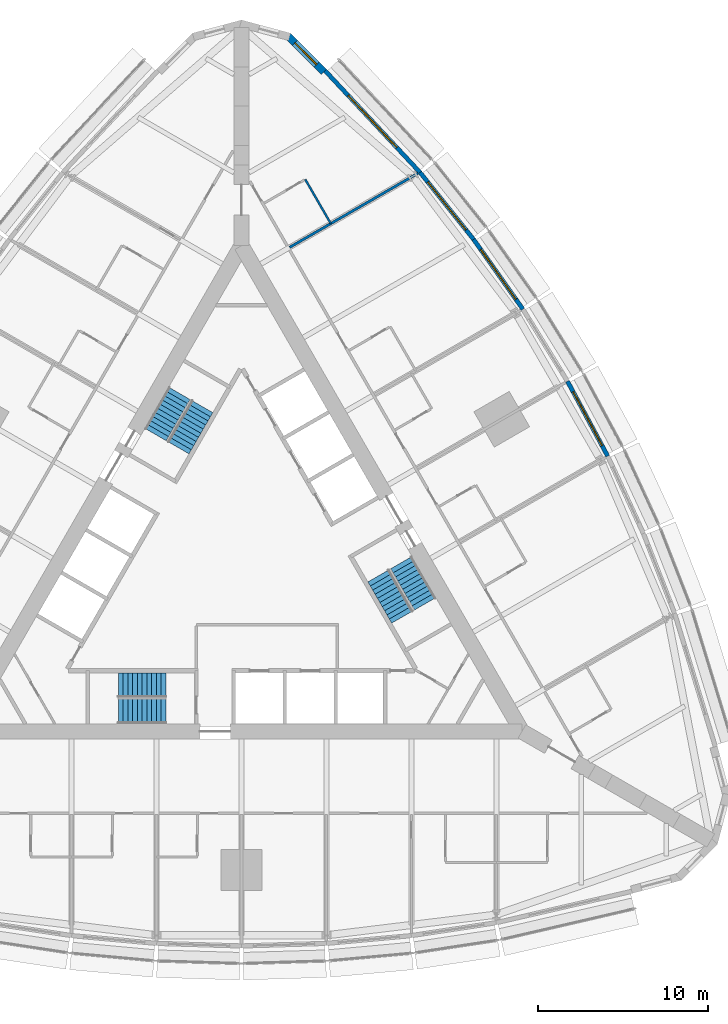
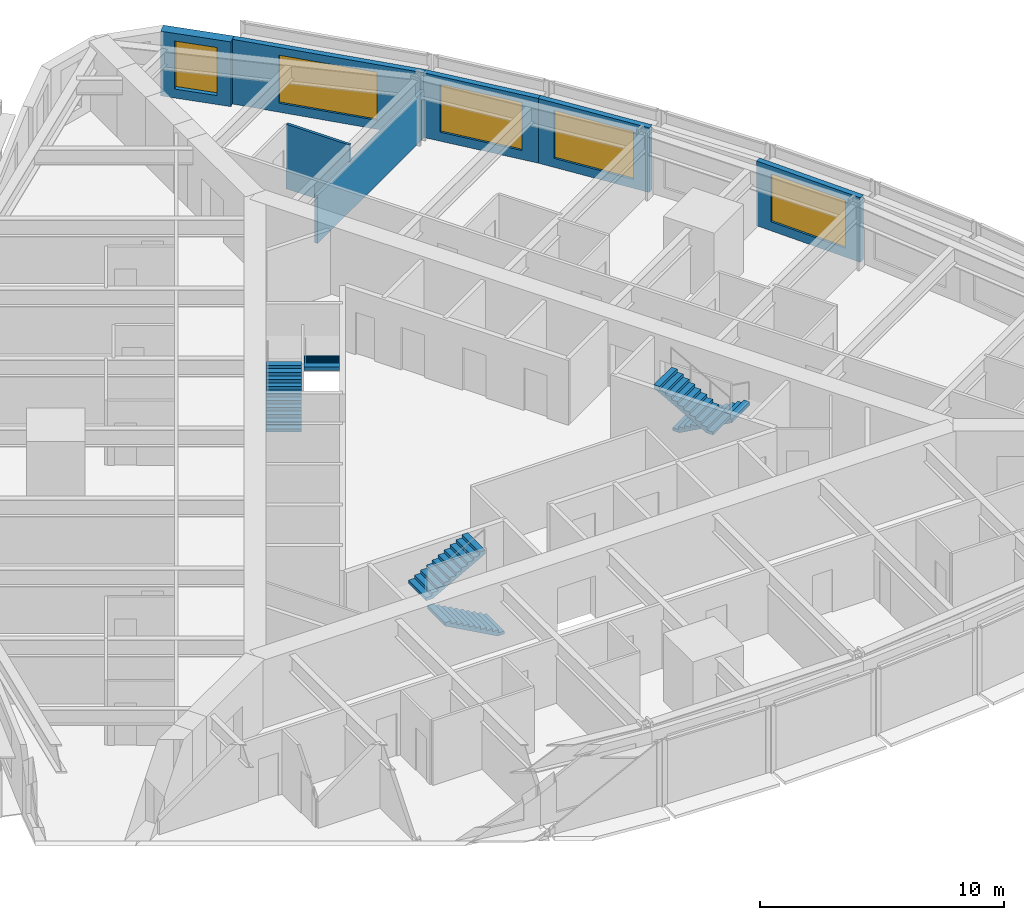
# One storey, part 13 of 14: 7 walls, 6 stair flights, 5 windows, 5 openings, 3 elements without a shape of their own.
"""IFC4 building model written with IfcOpenShell, lengths in metres."""

from ifc_helpers import new_model, si_unit, direction, frame, frame_2d, origin, place, context, subcontext, project, spatial, polyline, rectangle, outline, extrude, material, layer, layer_set, type_object, element, fill, aggregate, save


model = new_model("IFC4")

# Units and contexts
model_context = context("Model", 3, precision=1e-05, world=origin(), true_north=direction((0.0, 1.0)))
body_context = subcontext(model_context, "Body", "Model", "MODEL_VIEW")
ifc_project = project(units=[si_unit("LENGTHUNIT", "METRE"), si_unit("AREAUNIT", "SQUARE_METRE"), si_unit("VOLUMEUNIT", "CUBIC_METRE"), si_unit("PLANEANGLEUNIT", "RADIAN"), si_unit("MASSUNIT", "GRAM", prefix="KILO")], contexts=[model_context])

# Site, building, storey
site_placement = place(None, origin())
site = spatial("IfcSite", under=ifc_project, at=site_placement, CompositionType="ELEMENT")
building_placement = place(site_placement, origin())
building = spatial("IfcBuilding", under=site, at=building_placement, Name="Trikona Tower", CompositionType="ELEMENT")
storey_placement = place(building_placement, frame((0.0, 0.0, 65.89990234375)))
storey = spatial("IfcBuildingStorey", under=building, at=storey_placement, Name="L16", CompositionType="ELEMENT", Elevation=65.89990234375)

# Wall
ifc_material_1 = material(Name="Metal stud and cement board", Category="gypsum")
ifc_layer_1 = layer(ifc_material_1, 0.1201171875)
ifc_layer_set_1 = layer_set([ifc_layer_1], Name="Bathroom wall 120")
wall_type_1 = type_object("IfcWallType", Name="Bathroom wall 120", PredefinedType="PLUMBINGWALL", material=ifc_layer_set_1)
wall_1_placement = place(storey_placement, frame((5.25341796875, 20.353515625, 0.0), z_axis=(0.0, 0.0, 1.0), x_axis=(-0.499990139034, 0.866031096941, 0.0)))
element("IfcWall", 1, at=wall_1_placement, inside=storey, type_object=wall_type_1, Name="Bathroom wall 1612", PredefinedType="PLUMBINGWALL", context=body_context, shape_type="SweptSolid", body=[
    extrude(rectangle(XDim=3.0, YDim=0.1201171875, at=frame_2d((1.5, 0.0))), origin(), (0.0, 0.0, 1.0), 3.235107421875),
])

# Wall, opening, window
ifc_material_2 = material(Name="Brick-faced precast concrete", Category="masonry")
ifc_layer_2 = layer(ifc_material_2, 0.449951171875)
ifc_layer_set_2 = layer_set([ifc_layer_2], Name="Brick-faced corner wall 450")
wall_type_2 = type_object("IfcWallType", Name="Brick-faced corner wall 450", PredefinedType="SOLIDWALL", material=ifc_layer_set_2)
wall_2_placement = place(storey_placement, frame((4.8408203125, 29.285888671875, 0.0), z_axis=(0.0, 0.0, 1.0), x_axis=(-0.707106781187, 0.707106781187, 0.0)))
wall_2 = element("IfcWall", 2, at=wall_2_placement, inside=storey, type_object=wall_type_2, Name="External wall L16-20", PredefinedType="SOLIDWALL", context=body_context, shape_type="SweptSolid", body=[
    extrude(rectangle(XDim=2.98828125, YDim=0.449951171875, at=frame_2d((1.494140625, 0.0))), origin(), (0.0, 0.0, 1.0), 3.235107421875),
])
opening_1_placement = place(wall_2_placement, frame((0.59423828125, 0.0, 0.449951171875)))
opening_1 = element("IfcOpeningElement", 3, at=opening_1_placement, cuts=wall_2, Name="Opening W1824", PredefinedType="OPENING", context=body_context, shape_type="SweptSolid", body=[
    extrude(rectangle(XDim=1.800048828125, YDim=2.39990234375, at=frame_2d((0.89990234375, 1.199951171875))), frame((0.0, 0.23486328125, 0.0), z_axis=(0.0, -1.0, 0.0), x_axis=(1.0, 0.0, 0.0)), (0.0, 0.0, 1.0), 0.469970703125),
])
ifc_material_3 = material(Name="Aluminium-framed double glazing", Category="aluminium")
window_type_1 = type_object("IfcWindowType", Name="Window 1800x2400", PartitioningType="SINGLE_PANEL", PredefinedType="WINDOW", material=ifc_material_3)
window_1_placement = place(opening_1_placement, origin())
window_1 = element("IfcWindow", 4, at=window_1_placement, inside=storey, type_object=window_type_1, Name="Window 1612", OverallHeight=2.39990234375, OverallWidth=1.800048828125, PartitioningType="SINGLE_PANEL", PredefinedType="WINDOW", context=body_context, shape_type="SweptSolid", body=[
    extrude(rectangle(XDim=1.800048828125, YDim=2.39990234375, at=frame_2d((0.89990234375, 1.199951171875))), frame((0.0, 0.030029296875, 0.0), z_axis=(0.0, -1.0, 0.0), x_axis=(1.0, 0.0, 0.0)), (0.0, 0.0, 1.0), 0.06005859375),
])
fill(opening_1, window_1)

ifc_material_4 = material(Name="Insulated precast concrete spandrel panel", Category="concrete")
ifc_layer_3 = layer(ifc_material_4, 0.25)
ifc_layer_set_3 = layer_set([ifc_layer_3], Name="Inner skin wall 250")
wall_type_3 = type_object("IfcWallType", Name="Inner skin wall 250", PredefinedType="STANDARD", material=ifc_layer_set_3)
wall_3_placement = place(storey_placement, frame((21.546630859375, 6.6708984375, 0.0), z_axis=(0.0, 0.0, 1.0), x_axis=(-0.473412820489, 0.880840678782, 0.0)))
wall_3 = element("IfcWall", 5, at=wall_3_placement, inside=storey, type_object=wall_type_3, Name="External wall L16-15", PredefinedType="STANDARD", context=body_context, shape_type="SweptSolid", body=[
    extrude(rectangle(XDim=5.00244140625, YDim=0.25, at=frame_2d((2.501220703125, 0.0))), origin(), (0.0, 0.0, 1.0), 3.235107421875),
])
opening_2_placement = place(wall_3_placement, frame((0.701171875, 0.0, 0.449951171875)))
opening_2 = element("IfcOpeningElement", 6, at=opening_2_placement, cuts=wall_3, Name="Opening W3624", PredefinedType="OPENING", context=body_context, shape_type="SweptSolid", body=[
    extrude(rectangle(XDim=3.60009765625, YDim=2.39990234375, at=frame_2d((1.800048828125, 1.199951171875))), frame((0.0, 0.135009765625, 0.0), z_axis=(0.0, -1.0, 0.0), x_axis=(1.0, 0.0, 0.0)), (0.0, 0.0, 1.0), 0.27001953125),
])
ifc_material_5 = material(Name="Aluminium-framed double glazing", Category="aluminium")
window_type_2 = type_object("IfcWindowType", Name="Window 3600x2400", PartitioningType="SINGLE_PANEL", PredefinedType="WINDOW", material=ifc_material_5)
window_2_placement = place(opening_2_placement, origin())
window_2 = element("IfcWindow", 7, at=window_2_placement, inside=storey, type_object=window_type_2, Name="Window 1609", OverallHeight=2.39990234375, OverallWidth=3.60009765625, PartitioningType="SINGLE_PANEL", PredefinedType="WINDOW", context=body_context, shape_type="SweptSolid", body=[
    extrude(rectangle(XDim=3.60009765625, YDim=2.39990234375, at=frame_2d((1.800048828125, 1.199951171875))), frame((0.0, 0.030029296875, 0.0), z_axis=(0.0, -1.0, 0.0), x_axis=(1.0, 0.0, 0.0)), (0.0, 0.0, 1.0), 0.06005859375),
])
fill(opening_2, window_2)

wall_4_placement = place(storey_placement, frame((16.5546875, 15.318115234375, 0.0), z_axis=(0.0, 0.0, 1.0), x_axis=(-0.5766431066, 0.81699616132, 0.0)))
wall_4 = element("IfcWall", 8, at=wall_4_placement, inside=storey, type_object=wall_type_3, Name="External wall L16-17", PredefinedType="STANDARD", context=body_context, shape_type="SweptSolid", body=[
    extrude(rectangle(XDim=5.02099609375, YDim=0.25, at=frame_2d((2.510498046875, 0.0))), origin(), (0.0, 0.0, 1.0), 3.235107421875),
])
opening_3_placement = place(wall_4_placement, frame((0.71044921875, 0.0, 0.449951171875)))
opening_3 = element("IfcOpeningElement", 9, at=opening_3_placement, cuts=wall_4, Name="Opening W3624", PredefinedType="OPENING", context=body_context, shape_type="SweptSolid", body=[
    extrude(rectangle(XDim=3.60009765625, YDim=2.39990234375, at=frame_2d((1.800048828125, 1.199951171875))), frame((0.0, 0.135009765625, 0.0), z_axis=(0.0, -1.0, 0.0), x_axis=(1.0, 0.0, 0.0)), (0.0, 0.0, 1.0), 0.27001953125),
])
window_3_placement = place(opening_3_placement, origin())
window_3 = element("IfcWindow", 10, at=window_3_placement, inside=storey, type_object=window_type_2, Name="Window 1611", OverallHeight=2.39990234375, OverallWidth=3.60009765625, PartitioningType="SINGLE_PANEL", PredefinedType="WINDOW", context=body_context, shape_type="SweptSolid", body=[
    extrude(rectangle(XDim=3.60009765625, YDim=2.39990234375, at=frame_2d((1.800048828125, 1.199951171875))), frame((0.0, 0.030029296875, 0.0), z_axis=(0.0, -1.0, 0.0), x_axis=(1.0, 0.0, 0.0)), (0.0, 0.0, 1.0), 0.06005859375),
])
fill(opening_3, window_3)

wall_5_placement = place(storey_placement, frame((13.663818359375, 19.4140625, 0.0), z_axis=(0.0, 0.0, 1.0), x_axis=(-0.624594965756, 0.780948864364, 0.0)))
wall_5 = element("IfcWall", 11, at=wall_5_placement, inside=storey, type_object=wall_type_3, Name="External wall L16-18", PredefinedType="STANDARD", context=body_context, shape_type="SweptSolid", body=[
    extrude(rectangle(XDim=5.0576171875, YDim=0.25, at=frame_2d((2.52880859375, 0.0))), origin(), (0.0, 0.0, 1.0), 3.235107421875),
])
opening_4_placement = place(wall_5_placement, frame((0.728759765625, 0.0, 0.449951171875)))
opening_4 = element("IfcOpeningElement", 12, at=opening_4_placement, cuts=wall_5, Name="Opening W3624", PredefinedType="OPENING", context=body_context, shape_type="SweptSolid", body=[
    extrude(rectangle(XDim=3.60009765625, YDim=2.39990234375, at=frame_2d((1.800048828125, 1.199951171875))), frame((0.0, 0.135009765625, 0.0), z_axis=(0.0, -1.0, 0.0), x_axis=(1.0, 0.0, 0.0)), (0.0, 0.0, 1.0), 0.27001953125),
])
window_4_placement = place(opening_4_placement, origin())
window_4 = element("IfcWindow", 13, at=window_4_placement, inside=storey, type_object=window_type_2, Name="Window 1611", OverallHeight=2.39990234375, OverallWidth=3.60009765625, PartitioningType="SINGLE_PANEL", PredefinedType="WINDOW", context=body_context, shape_type="SweptSolid", body=[
    extrude(rectangle(XDim=3.60009765625, YDim=2.39990234375, at=frame_2d((1.800048828125, 1.199951171875))), frame((0.0, 0.030029296875, 0.0), z_axis=(0.0, -1.0, 0.0), x_axis=(1.0, 0.0, 0.0)), (0.0, 0.0, 1.0), 0.06005859375),
])
fill(opening_4, window_4)

wall_6_placement = place(storey_placement, frame((10.510986328125, 23.356689453125, 0.0), z_axis=(0.0, 0.0, 1.0), x_axis=(-0.682289646561, 0.731081964075, 0.0)))
wall_6 = element("IfcWall", 14, at=wall_6_placement, inside=storey, type_object=wall_type_3, Name="External wall L16-19", PredefinedType="STANDARD", context=body_context, shape_type="SweptSolid", body=[
    extrude(rectangle(XDim=8.2109375, YDim=0.25, at=frame_2d((4.10546875, 0.0))), origin(), (0.0, 0.0, 1.0), 3.235107421875),
])
opening_5_placement = place(wall_6_placement, frame((2.005615234375, 0.0, 0.449951171875)))
opening_5 = element("IfcOpeningElement", 15, at=opening_5_placement, cuts=wall_6, Name="Opening W4224", PredefinedType="OPENING", context=body_context, shape_type="SweptSolid", body=[
    extrude(rectangle(XDim=4.199951171875, YDim=2.39990234375, at=frame_2d((2.10009765625, 1.199951171875))), frame((0.0, 0.135009765625, 0.0), z_axis=(0.0, -1.0, 0.0), x_axis=(1.0, 0.0, 0.0)), (0.0, 0.0, 1.0), 0.27001953125),
])
ifc_material_6 = material(Name="Aluminium-framed double glazing", Category="aluminium")
window_type_3 = type_object("IfcWindowType", Name="Window 4200x2400", PartitioningType="SINGLE_PANEL", PredefinedType="WINDOW", material=ifc_material_6)
window_5_placement = place(opening_5_placement, origin())
window_5 = element("IfcWindow", 16, at=window_5_placement, inside=storey, type_object=window_type_3, Name="Window 1612", OverallHeight=2.39990234375, OverallWidth=4.199951171875, PartitioningType="SINGLE_PANEL", PredefinedType="WINDOW", context=body_context, shape_type="SweptSolid", body=[
    extrude(rectangle(XDim=4.199951171875, YDim=2.39990234375, at=frame_2d((2.10009765625, 1.199951171875))), frame((0.0, 0.030029296875, 0.0), z_axis=(0.0, -1.0, 0.0), x_axis=(1.0, 0.0, 0.0)), (0.0, 0.0, 1.0), 0.06005859375),
])
fill(opening_5, window_5)

# Wall
ifc_material_7 = material(Name="Metal stud and gypsum board, 1-hour acoustic", Category="gypsum")
ifc_layer_4 = layer(ifc_material_7, 0.14990234375)
ifc_layer_set_4 = layer_set([ifc_layer_4], Name="Party wall 150")
wall_type_4 = type_object("IfcWallType", Name="Party wall 150", PredefinedType="PARTITIONING", material=ifc_layer_set_4)
wall_7_placement = place(storey_placement, frame((2.82861328125, 18.95361328125, 0.0), z_axis=(0.0, 0.0, 1.0), x_axis=(0.866020536561, 0.500008430184, 0.0)))
element("IfcWall", 17, at=wall_7_placement, inside=storey, type_object=wall_type_4, Name="Partition L16 F2 u15", PredefinedType="PARTITIONING", context=body_context, shape_type="SweptSolid", body=[
    extrude(rectangle(XDim=8.719970703125, YDim=0.14990234375, at=frame_2d((4.35986328125, 0.0))), origin(), (0.0, 0.0, 1.0), 2.389404296875),
])

# Stair, stair flights
ifc_material_8 = material(Name="Concrete f'c 5000 psi", Category="concrete")
stair_type = type_object("IfcStairType", Name="Core stair", PredefinedType="HALF_TURN_STAIR", material=ifc_material_8)
stair_1_placement = place(storey_placement, origin())
stair_1 = element("IfcStair", 18, at=stair_1_placement, inside=storey, type_object=stair_type, Name="Stair A L16", PredefinedType="HALF_TURN_STAIR")
ifc_material_9 = material(Name="Concrete f'c 5000 psi", Category="concrete")
stair_flight_type = type_object("IfcStairFlightType", Name="Core stair flight 1450", PredefinedType="STRAIGHT", material=ifc_material_9)
stair_flight_1_placement = place(storey_placement, frame((-4.449951171875, -8.351318359375, 0.0), z_axis=(0.0, 0.0, 1.0), x_axis=(-1.0, 0.0, 0.0)))
stair_flight_1 = element("IfcStairFlight", 19, at=stair_flight_1_placement, type_object=stair_flight_type, Name="ST-A flight 1", NumberOfRisers=11, NumberOfTreads=10, PredefinedType="STRAIGHT", RiserHeight=0.154545, TreadLength=0.28, context=body_context, shape_type="SweptSolid", body=[
    extrude(outline(polyline([(0.0, 0.0), (0.0, 0.154541015625), (0.280029296875, 0.154541015625), (0.280029296875, 0.30908203125), (0.56005859375, 0.30908203125), (0.56005859375, 0.463623046875), (0.840087890625, 0.463623046875), (0.840087890625, 0.6181640625), (1.1201171875, 0.6181640625), (1.1201171875, 0.772705078125), (1.39990234375, 0.772705078125), (1.39990234375, 0.92724609375), (1.679931640625, 0.92724609375), (1.679931640625, 1.081787109375), (1.9599609375, 1.081787109375), (1.9599609375, 1.236328125), (2.239990234375, 1.236328125), (2.239990234375, 1.390869140625), (2.52001953125, 1.390869140625), (2.52001953125, 1.54541015625), (2.800048828125, 1.54541015625), (2.800048828125, 1.699951171875), (2.800048828125, 1.374267578125), (0.310302734375, 0.0), (0.0, 0.0)])), frame((0.0, 0.72509765625, 0.0), z_axis=(0.0, -1.0, 0.0), x_axis=(1.0, 0.0, 0.0)), (0.0, 0.0, 1.0), 1.449951171875),
])
stair_flight_2_placement = place(storey_placement, frame((-7.25, -6.80126953125, 1.7001953125), z_axis=(0.0, 0.0, 1.0), x_axis=(1.0, 0.0, 0.0)))
stair_flight_2 = element("IfcStairFlight", 20, at=stair_flight_2_placement, type_object=stair_flight_type, Name="ST-A flight 2", NumberOfRisers=11, NumberOfTreads=10, PredefinedType="STRAIGHT", RiserHeight=0.154545, TreadLength=0.28, context=body_context, shape_type="SweptSolid", body=[
    extrude(outline(polyline([(0.0, 0.0), (0.0, 0.154541015625), (0.280029296875, 0.154541015625), (0.280029296875, 0.30908203125), (0.56005859375, 0.30908203125), (0.56005859375, 0.463623046875), (0.840087890625, 0.463623046875), (0.840087890625, 0.6181640625), (1.1201171875, 0.6181640625), (1.1201171875, 0.772705078125), (1.39990234375, 0.772705078125), (1.39990234375, 0.92724609375), (1.679931640625, 0.92724609375), (1.679931640625, 1.081787109375), (1.9599609375, 1.081787109375), (1.9599609375, 1.236328125), (2.239990234375, 1.236328125), (2.239990234375, 1.390869140625), (2.52001953125, 1.390869140625), (2.52001953125, 1.54541015625), (2.800048828125, 1.54541015625), (2.800048828125, 1.699951171875), (2.800048828125, 1.374267578125), (0.310302734375, 0.0), (0.0, 0.0)])), frame((0.0, 0.72509765625, 0.0), z_axis=(0.0, -1.0, 0.0), x_axis=(1.0, 0.0, 0.0)), (0.0, 0.0, 1.0), 1.449951171875),
])
aggregate(stair_1, [stair_flight_1, stair_flight_2])

stair_2_placement = place(storey_placement, origin())
stair_2 = element("IfcStair", 21, at=stair_2_placement, inside=storey, type_object=stair_type, Name="Stair B L16", PredefinedType="HALF_TURN_STAIR")
stair_flight_3_placement = place(storey_placement, frame((9.407470703125, 0.408447265625, 0.0), z_axis=(0.0, 0.0, 1.0), x_axis=(0.5, -0.866025403784, 0.0)))
stair_flight_3 = element("IfcStairFlight", 22, at=stair_flight_3_placement, type_object=stair_flight_type, Name="ST-B flight 1", NumberOfRisers=11, NumberOfTreads=10, PredefinedType="STRAIGHT", RiserHeight=0.154545, TreadLength=0.28, context=body_context, shape_type="SweptSolid", body=[
    extrude(outline(polyline([(0.0, 0.0), (0.0, 0.154541015625), (0.280029296875, 0.154541015625), (0.280029296875, 0.30908203125), (0.56005859375, 0.30908203125), (0.56005859375, 0.463623046875), (0.840087890625, 0.463623046875), (0.840087890625, 0.6181640625), (1.1201171875, 0.6181640625), (1.1201171875, 0.772705078125), (1.39990234375, 0.772705078125), (1.39990234375, 0.92724609375), (1.679931640625, 0.92724609375), (1.679931640625, 1.081787109375), (1.9599609375, 1.081787109375), (1.9599609375, 1.236328125), (2.239990234375, 1.236328125), (2.239990234375, 1.390869140625), (2.52001953125, 1.390869140625), (2.52001953125, 1.54541015625), (2.800048828125, 1.54541015625), (2.800048828125, 1.699951171875), (2.800048828125, 1.374267578125), (0.310302734375, 0.0), (0.0, 0.0)])), frame((0.0, 0.72509765625, 0.0), z_axis=(0.0, -1.0, 0.0), x_axis=(1.0, 0.0, 0.0)), (0.0, 0.0, 1.0), 1.449951171875),
])
stair_flight_4_placement = place(storey_placement, frame((9.465087890625, -2.79150390625, 1.7001953125), z_axis=(0.0, 0.0, 1.0), x_axis=(-0.5, 0.866025403784, 0.0)))
stair_flight_4 = element("IfcStairFlight", 23, at=stair_flight_4_placement, type_object=stair_flight_type, Name="ST-B flight 2", NumberOfRisers=11, NumberOfTreads=10, PredefinedType="STRAIGHT", RiserHeight=0.154545, TreadLength=0.28, context=body_context, shape_type="SweptSolid", body=[
    extrude(outline(polyline([(0.0, 0.0), (0.0, 0.154541015625), (0.280029296875, 0.154541015625), (0.280029296875, 0.30908203125), (0.56005859375, 0.30908203125), (0.56005859375, 0.463623046875), (0.840087890625, 0.463623046875), (0.840087890625, 0.6181640625), (1.1201171875, 0.6181640625), (1.1201171875, 0.772705078125), (1.39990234375, 0.772705078125), (1.39990234375, 0.92724609375), (1.679931640625, 0.92724609375), (1.679931640625, 1.081787109375), (1.9599609375, 1.081787109375), (1.9599609375, 1.236328125), (2.239990234375, 1.236328125), (2.239990234375, 1.390869140625), (2.52001953125, 1.390869140625), (2.52001953125, 1.54541015625), (2.800048828125, 1.54541015625), (2.800048828125, 1.699951171875), (2.800048828125, 1.374267578125), (0.310302734375, 0.0), (0.0, 0.0)])), frame((0.0, 0.72509765625, 0.0), z_axis=(0.0, -1.0, 0.0), x_axis=(1.0, 0.0, 0.0)), (0.0, 0.0, 1.0), 1.449951171875),
])
aggregate(stair_2, [stair_flight_3, stair_flight_4])

stair_3_placement = place(storey_placement, origin())
stair_3 = element("IfcStair", 24, at=stair_3_placement, inside=storey, type_object=stair_type, Name="Stair C L16", PredefinedType="HALF_TURN_STAIR")
stair_flight_5_placement = place(storey_placement, frame((-5.057373046875, 7.94287109375, 0.0), z_axis=(0.0, 0.0, 1.0), x_axis=(0.5, 0.866025403784, 0.0)))
stair_flight_5 = element("IfcStairFlight", 25, at=stair_flight_5_placement, type_object=stair_flight_type, Name="ST-C flight 1", NumberOfRisers=11, NumberOfTreads=10, PredefinedType="STRAIGHT", RiserHeight=0.154545, TreadLength=0.28, context=body_context, shape_type="SweptSolid", body=[
    extrude(outline(polyline([(0.0, 0.0), (0.0, 0.154541015625), (0.280029296875, 0.154541015625), (0.280029296875, 0.30908203125), (0.56005859375, 0.30908203125), (0.56005859375, 0.463623046875), (0.840087890625, 0.463623046875), (0.840087890625, 0.6181640625), (1.1201171875, 0.6181640625), (1.1201171875, 0.772705078125), (1.39990234375, 0.772705078125), (1.39990234375, 0.92724609375), (1.679931640625, 0.92724609375), (1.679931640625, 1.081787109375), (1.9599609375, 1.081787109375), (1.9599609375, 1.236328125), (2.239990234375, 1.236328125), (2.239990234375, 1.390869140625), (2.52001953125, 1.390869140625), (2.52001953125, 1.54541015625), (2.800048828125, 1.54541015625), (2.800048828125, 1.699951171875), (2.800048828125, 1.374267578125), (0.310302734375, 0.0), (0.0, 0.0)])), frame((0.0, 0.72509765625, 0.0), z_axis=(0.0, -1.0, 0.0), x_axis=(1.0, 0.0, 0.0)), (0.0, 0.0, 1.0), 1.449951171875),
])
stair_flight_6_placement = place(storey_placement, frame((-2.315185546875, 9.5927734375, 1.7001953125), z_axis=(0.0, 0.0, 1.0), x_axis=(-0.5, -0.866025403784, 0.0)))
stair_flight_6 = element("IfcStairFlight", 26, at=stair_flight_6_placement, type_object=stair_flight_type, Name="ST-C flight 2", NumberOfRisers=11, NumberOfTreads=10, PredefinedType="STRAIGHT", RiserHeight=0.154545, TreadLength=0.28, context=body_context, shape_type="SweptSolid", body=[
    extrude(outline(polyline([(0.0, 0.0), (0.0, 0.154541015625), (0.280029296875, 0.154541015625), (0.280029296875, 0.30908203125), (0.56005859375, 0.30908203125), (0.56005859375, 0.463623046875), (0.840087890625, 0.463623046875), (0.840087890625, 0.6181640625), (1.1201171875, 0.6181640625), (1.1201171875, 0.772705078125), (1.39990234375, 0.772705078125), (1.39990234375, 0.92724609375), (1.679931640625, 0.92724609375), (1.679931640625, 1.081787109375), (1.9599609375, 1.081787109375), (1.9599609375, 1.236328125), (2.239990234375, 1.236328125), (2.239990234375, 1.390869140625), (2.52001953125, 1.390869140625), (2.52001953125, 1.54541015625), (2.800048828125, 1.54541015625), (2.800048828125, 1.699951171875), (2.800048828125, 1.374267578125), (0.310302734375, 0.0), (0.0, 0.0)])), frame((0.0, 0.72509765625, 0.0), z_axis=(0.0, -1.0, 0.0), x_axis=(1.0, 0.0, 0.0)), (0.0, 0.0, 1.0), 1.449951171875),
])
aggregate(stair_3, [stair_flight_5, stair_flight_6])

save(model, "model.ifc")
